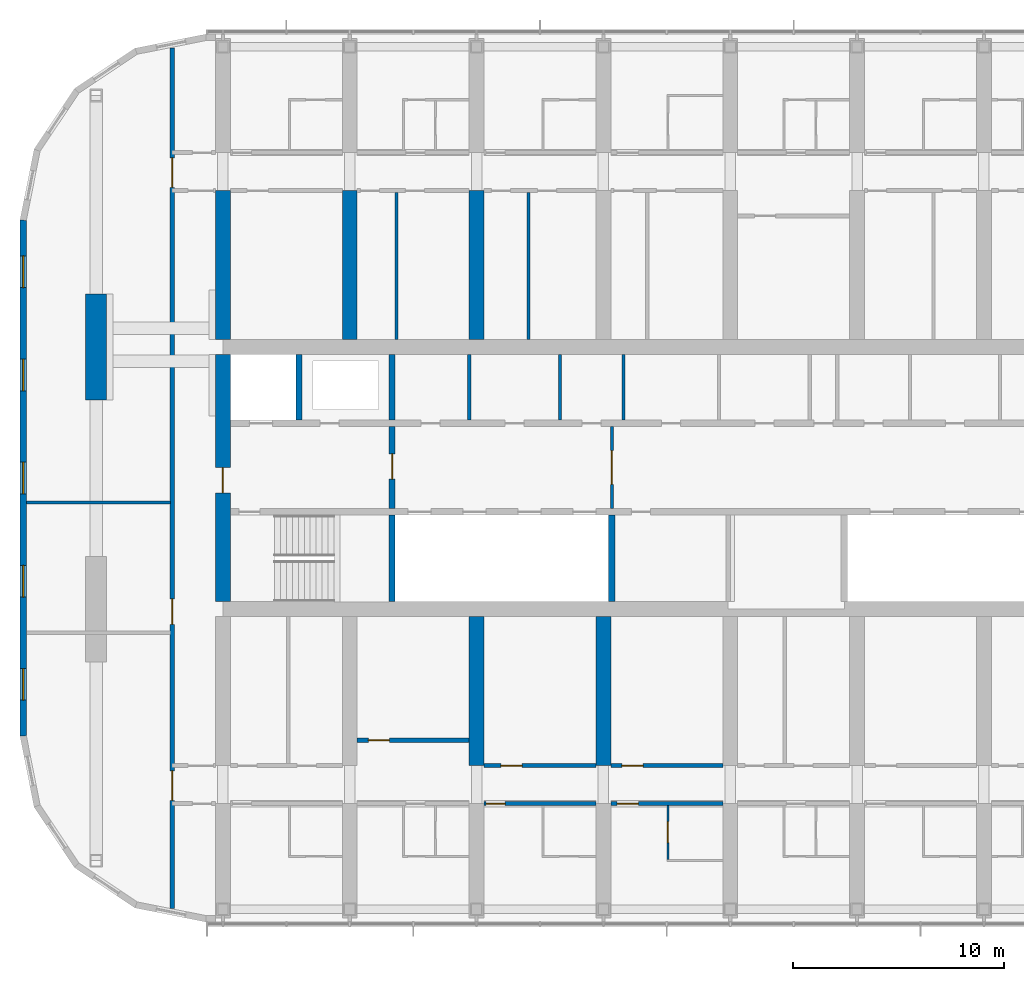
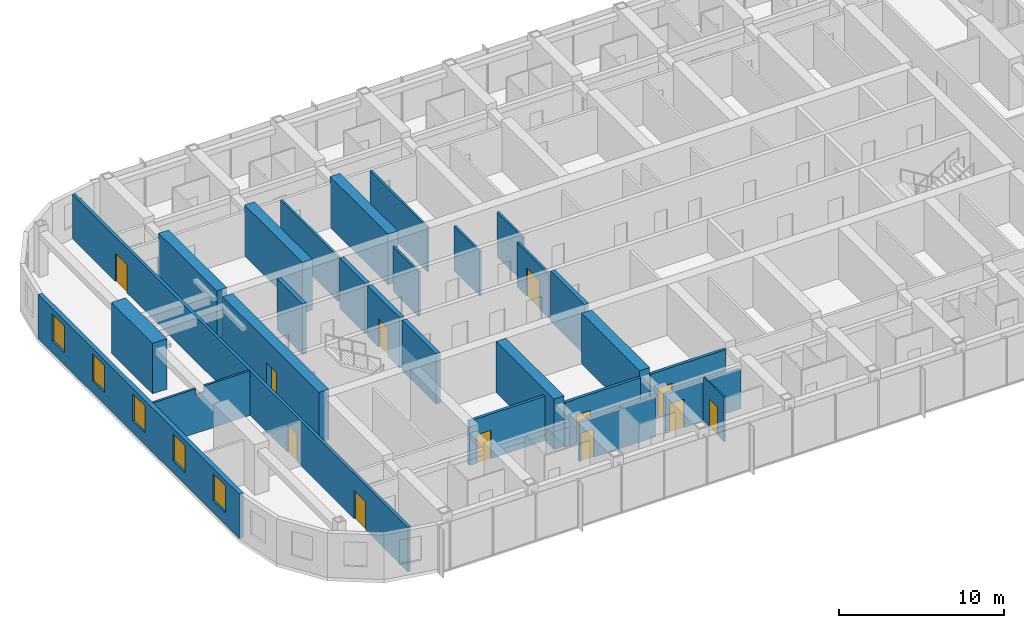
# One storey, part 11 of 23: 27 walls, 12 doors, 5 windows, 17 openings.
"""IFC4 building model written with IfcOpenShell, lengths in metres."""

from ifc_helpers import new_model, si_unit, direction, frame, frame_2d, origin, place, context, subcontext, project, spatial, polyline, rectangle, outline, extrude, material, layer, layer_set, type_object, element, fill, save


model = new_model("IFC4")

# Units and contexts
model_context = context("Model", 3, precision=1e-05, world=origin(), true_north=direction((0.0, 1.0)))
body_context = subcontext(model_context, "Body", "Model", "MODEL_VIEW")
ifc_project = project(units=[si_unit("LENGTHUNIT", "METRE"), si_unit("AREAUNIT", "SQUARE_METRE"), si_unit("VOLUMEUNIT", "CUBIC_METRE"), si_unit("PLANEANGLEUNIT", "RADIAN"), si_unit("MASSUNIT", "GRAM", prefix="KILO")], contexts=[model_context])

# Site, building, storey
site_placement = place(None, origin())
site = spatial("IfcSite", under=ifc_project, at=site_placement, CompositionType="ELEMENT")
building_placement = place(site_placement, origin())
building = spatial("IfcBuilding", under=site, at=building_placement, Name="Orbita Commons", CompositionType="ELEMENT")
storey_placement = place(building_placement, frame((0.0, 0.0, 212.800048828125)))
storey = spatial("IfcBuildingStorey", under=building, at=storey_placement, Name="L52", CompositionType="ELEMENT", Elevation=212.800048828125)

# Wall
ifc_material_1 = material(Name="Concrete C50/60", Category="concrete")
ifc_layer_1 = layer(ifc_material_1, 0.300048828125)
ifc_layer_set_1 = layer_set([ifc_layer_1], Name="Concrete C50/60")
wall_type_1 = type_object("IfcWallType", Name="Core inner wall 300 C50/60", PredefinedType="SHEAR", material=ifc_layer_set_1)
wall_1_placement = place(storey_placement, frame((26.0, 26.14990234375, 0.0), z_axis=(0.0, 0.0, 1.0), x_axis=(0.0, 1.0, 0.0)))
element("IfcWall", 1, at=wall_1_placement, inside=storey, type_object=wall_type_1, Name="Stair S1 wall L52", PredefinedType="SHEAR", context=body_context, shape_type="SweptSolid", body=[
    extrude(rectangle(XDim=4.10009765625, YDim=0.300048828125, at=frame_2d((2.050048828125, 0.0))), origin(), (0.0, 0.0, 1.0), 3.75),
])

# Wall, opening, door
wall_2_placement = place(storey_placement, frame((26.0, 30.550048828125, 0.0), z_axis=(0.0, 0.0, 1.0), x_axis=(0.0, 1.0, 0.0)))
wall_2 = element("IfcWall", 2, at=wall_2_placement, inside=storey, type_object=wall_type_1, Name="Firefighting lobby wall west L52", PredefinedType="SHEAR", context=body_context, shape_type="SweptSolid", body=[
    extrude(rectangle(XDim=3.89990234375, YDim=0.300048828125, at=frame_2d((1.949951171875, 0.0))), origin(), (0.0, 0.0, 1.0), 3.75),
])
opening_1_placement = place(wall_2_placement, frame((1.39990234375, 0.0, 0.0)))
opening_1 = element("IfcOpeningElement", 3, at=opening_1_placement, cuts=wall_2, Name="Opening D04", PredefinedType="OPENING", context=body_context, shape_type="SweptSolid", body=[
    extrude(rectangle(XDim=1.199951171875, YDim=2.10009765625, at=frame_2d((0.60009765625, 1.050048828125))), frame((0.0, 0.159912109375, 0.0), z_axis=(0.0, -1.0, 0.0), x_axis=(1.0, 0.0, 0.0)), (0.0, 0.0, 1.0), 0.320068359375),
])
ifc_material_2 = material(Name="Steel-faced fire door leaf", Category="steel")
door_type_1 = type_object("IfcDoorType", Name="Service door 20 min 1200x2100", OperationType="SINGLE_SWING_LEFT", PredefinedType="DOOR", material=ifc_material_2)
door_1_placement = place(opening_1_placement, origin())
door_1 = element("IfcDoor", 4, at=door_1_placement, inside=storey, type_object=door_type_1, Name="Lift lobby door west", OperationType="SINGLE_SWING_LEFT", OverallHeight=2.10009765625, OverallWidth=1.199951171875, PredefinedType="DOOR", context=body_context, shape_type="SweptSolid", body=[
    extrude(rectangle(XDim=1.199951171875, YDim=2.10009765625, at=frame_2d((0.60009765625, 1.050048828125))), frame((0.0, 0.02490234375, 0.0), z_axis=(0.0, -1.0, 0.0), x_axis=(1.0, 0.0, 0.0)), (0.0, 0.0, 1.0), 0.050048828125),
])
fill(opening_1, door_1)

# Walls
for number, where, z_axis, x_axis, name in (
    (5, (21.60009765625, 34.75, 0.0), (0.0, 0.0, 1.0), (0.0, 1.0, 0.0), "Firefighting lift FL1 shaft wall L52"),
    (6, (26.0, 34.75, 0.0), (0.0, 0.0, 1.0), (0.0, 1.0, 0.0), "Riser wall west L52"),
):
    element("IfcWall", number, at=place(storey_placement, frame(where, z_axis=z_axis, x_axis=x_axis)), inside=storey, type_object=wall_type_1, Name=name, PredefinedType="SHEAR", context=body_context, shape_type="SweptSolid", body=[
        extrude(rectangle(XDim=3.10009765625, YDim=0.300048828125, at=frame_2d((1.550048828125, 0.0))), origin(), (0.0, 0.0, 1.0), 3.75),
    ])
wall_3_placement = place(storey_placement, frame((36.39990234375, 26.14990234375, 0.0), z_axis=(0.0, 0.0, 1.0), x_axis=(0.0, 1.0, 0.0)))
element("IfcWall", 7, at=wall_3_placement, inside=storey, type_object=wall_type_1, Name="Hoistway division wall L52", PredefinedType="SHEAR", context=body_context, shape_type="SweptSolid", body=[
    extrude(rectangle(XDim=4.10009765625, YDim=0.300048828125, at=frame_2d((2.050048828125, 0.0))), origin(), (0.0, 0.0, 1.0), 3.75),
])

# Wall, opening, door
ifc_material_3 = material(Name="Concrete blockwork", Category="masonry")
ifc_layer_2 = layer(ifc_material_3, 0.14990234375)
ifc_layer_set_2 = layer_set([ifc_layer_2], Name="Concrete blockwork")
wall_type_2 = type_object("IfcWallType", Name="Core partition 150 blockwork", PredefinedType="SOLIDWALL", material=ifc_layer_set_2)
wall_4_placement = place(storey_placement, frame((36.39990234375, 30.550048828125, 0.0), z_axis=(0.0, 0.0, 1.0), x_axis=(0.0, 1.0, 0.0)))
wall_4 = element("IfcWall", 8, at=wall_4_placement, inside=storey, type_object=wall_type_2, Name="Core partition 150 blockwork L52", PredefinedType="SOLIDWALL", context=body_context, shape_type="SweptSolid", body=[
    extrude(rectangle(XDim=3.89990234375, YDim=0.14990234375, at=frame_2d((1.949951171875, 0.0))), origin(), (0.0, 0.0, 1.0), 3.300048828125),
])
opening_2_placement = place(wall_4_placement, frame((1.14990234375, 0.0, 0.0)))
opening_2 = element("IfcOpeningElement", 9, at=opening_2_placement, cuts=wall_4, Name="Opening D10", PredefinedType="OPENING", context=body_context, shape_type="SweptSolid", body=[
    extrude(rectangle(XDim=1.60009765625, YDim=2.10009765625, at=frame_2d((0.800048828125, 1.050048828125))), frame((0.0, 0.0849609375, 0.0), z_axis=(0.0, -1.0, 0.0), x_axis=(1.0, 0.0, 0.0)), (0.0, 0.0, 1.0), 0.169921875),
])
ifc_material_4 = material(Name="Steel-faced fire door leaf", Category="steel")
door_type_2 = type_object("IfcDoorType", Name="Double corridor door 20 min 1600x2100", OperationType="DOUBLE_DOOR_SINGLE_SWING", PredefinedType="DOOR", material=ifc_material_4)
door_2_placement = place(opening_2_placement, origin())
door_2 = element("IfcDoor", 10, at=door_2_placement, inside=storey, type_object=door_type_2, Name="Lift lobby screen doors", OperationType="DOUBLE_DOOR_SINGLE_SWING", OverallHeight=2.10009765625, OverallWidth=1.60009765625, PredefinedType="DOOR", context=body_context, shape_type="SweptSolid", body=[
    extrude(rectangle(XDim=1.60009765625, YDim=2.10009765625, at=frame_2d((0.800048828125, 1.050048828125))), frame((0.0, 0.02490234375, 0.0), z_axis=(0.0, -1.0, 0.0), x_axis=(1.0, 0.0, 0.0)), (0.0, 0.0, 1.0), 0.050048828125),
])
fill(opening_2, door_2)

# Walls
for number, where, z_axis, x_axis, name in (
    (11, (29.65087890625, 34.75, 0.0), (0.0, 0.0, 1.0), (0.0, 1.0, 0.0), "Core partition 150 blockwork L52"),
    (12, (33.9462890625, 34.75, 0.0), (0.0, 0.0, 1.0), (0.0, 1.0, 0.0), "Core partition 150 blockwork L52"),
    (13, (36.9462890625, 34.75, 0.0), (0.0, 0.0, 1.0), (0.0, 1.0, 0.0), "Core partition 150 blockwork L52"),
):
    element("IfcWall", number, at=place(storey_placement, frame(where, z_axis=z_axis, x_axis=x_axis)), inside=storey, type_object=wall_type_2, Name=name, PredefinedType="SOLIDWALL", context=body_context, shape_type="SweptSolid", body=[
        extrude(rectangle(XDim=3.10009765625, YDim=0.14990234375, at=frame_2d((1.550048828125, 0.0))), origin(), (0.0, 0.0, 1.0), 3.300048828125),
    ])

# Wall, opening, door
ifc_material_5 = material(Name="Concrete C50/60", Category="concrete")
ifc_layer_3 = layer(ifc_material_5, 0.699951171875)
ifc_layer_set_3 = layer_set([ifc_layer_3], Name="Concrete C50/60")
wall_type_3 = type_object("IfcWallType", Name="Core wall 700 C50/60", PredefinedType="SHEAR", material=ifc_layer_set_3)
wall_5_placement = place(storey_placement, frame((18.0, 26.14990234375, 0.0), z_axis=(0.0, 0.0, 1.0), x_axis=(0.0, 1.0, 0.0)))
wall_5 = element("IfcWall", 14, at=wall_5_placement, inside=storey, type_object=wall_type_3, Name="Core end wall west L52", PredefinedType="SHEAR", context=body_context, shape_type="SweptSolid", body=[
    extrude(rectangle(XDim=11.7001953125, YDim=0.699951171875, at=frame_2d((5.85009765625, 0.0))), origin(), (0.0, 0.0, 1.0), 3.75),
])
opening_3_placement = place(wall_5_placement, frame((5.14990234375, 0.0, 0.0)))
opening_3 = element("IfcOpeningElement", 15, at=opening_3_placement, cuts=wall_5, Name="Opening D01", PredefinedType="OPENING", context=body_context, shape_type="SweptSolid", body=[
    extrude(rectangle(XDim=1.199951171875, YDim=2.10009765625, at=frame_2d((0.60009765625, 1.050048828125))), frame((0.0, 0.35986328125, 0.0), z_axis=(0.0, -1.0, 0.0), x_axis=(1.0, 0.0, 0.0)), (0.0, 0.0, 1.0), 0.719970703125),
])
ifc_material_6 = material(Name="Steel-faced fire door leaf", Category="steel")
door_type_3 = type_object("IfcDoorType", Name="Fire door 90 min 1200x2100", OperationType="SINGLE_SWING_LEFT", PredefinedType="DOOR", material=ifc_material_6)
door_3_placement = place(opening_3_placement, origin())
door_3 = element("IfcDoor", 16, at=door_3_placement, inside=storey, type_object=door_type_3, Name="Firefighting lobby west door", OperationType="SINGLE_SWING_LEFT", OverallHeight=2.10009765625, OverallWidth=1.199951171875, PredefinedType="DOOR", context=body_context, shape_type="SweptSolid", body=[
    extrude(rectangle(XDim=1.199951171875, YDim=2.10009765625, at=frame_2d((0.60009765625, 1.050048828125))), frame((0.0, 0.02490234375, 0.0), z_axis=(0.0, -1.0, 0.0), x_axis=(1.0, 0.0, 0.0)), (0.0, 0.0, 1.0), 0.050048828125),
])
fill(opening_3, door_3)

ifc_material_7 = material(Name="Concrete blockwork", Category="masonry")
ifc_layer_4 = layer(ifc_material_7, 0.199951171875)
ifc_layer_set_4 = layer_set([ifc_layer_4], Name="Concrete blockwork")
wall_type_4 = type_object("IfcWallType", Name="Corridor wall 200 blockwork", PredefinedType="SOLIDWALL", material=ifc_layer_set_4)
wall_6_placement = place(storey_placement, frame((30.35009765625, 16.60009765625, 0.0), z_axis=(0.0, 0.0, 1.0), x_axis=(1.0, 0.0, 0.0)))
wall_6 = element("IfcWall", 17, at=wall_6_placement, inside=storey, type_object=wall_type_4, Name="Corridor wall 200 blockwork L52", PredefinedType="SOLIDWALL", context=body_context, shape_type="SweptSolid", body=[
    extrude(outline(polyline([(0.0, 0.0), (5.2998046875, 0.0), (5.300048828125, 2.89990234375), (0.0, 2.89990234375), (0.0, 0.0)])), frame((0.0, 0.10009765625, 0.0), z_axis=(0.0, -1.0, 0.0), x_axis=(1.0, 0.0, 0.0)), (0.0, 0.0, 1.0), 0.199951171875),
])
opening_4_placement = place(wall_6_placement, frame((0.10009765625, 0.0, 0.0)))
opening_4 = element("IfcOpeningElement", 18, at=opening_4_placement, cuts=wall_6, Name="Opening D11", PredefinedType="OPENING", context=body_context, shape_type="SweptSolid", body=[
    extrude(rectangle(XDim=0.89990234375, YDim=2.10009765625, at=frame_2d((0.449951171875, 1.050048828125))), frame((0.0, 0.10986328125, 0.0), z_axis=(0.0, -1.0, 0.0), x_axis=(1.0, 0.0, 0.0)), (0.0, 0.0, 1.0), 0.219970703125),
])
ifc_material_8 = material(Name="Steel-faced fire door leaf", Category="steel")
door_type_4 = type_object("IfcDoorType", Name="Corridor door 20 min 900x2100", OperationType="SINGLE_SWING_LEFT", PredefinedType="DOOR", material=ifc_material_8)
door_4_placement = place(opening_4_placement, origin())
door_4 = element("IfcDoor", 19, at=door_4_placement, inside=storey, type_object=door_type_4, Name="Studio apartment with kitchenette L52-S04 door", OperationType="SINGLE_SWING_LEFT", OverallHeight=2.10009765625, OverallWidth=0.89990234375, PredefinedType="DOOR", context=body_context, shape_type="SweptSolid", body=[
    extrude(rectangle(XDim=0.89990234375, YDim=2.10009765625, at=frame_2d((0.449951171875, 1.050048828125))), frame((0.0, 0.02490234375, 0.0), z_axis=(0.0, -1.0, 0.0), x_axis=(1.0, 0.0, 0.0)), (0.0, 0.0, 1.0), 0.050048828125),
])
fill(opening_4, door_4)

wall_7_placement = place(storey_placement, frame((36.35009765625, 16.60009765625, 0.0), z_axis=(0.0, 0.0, 1.0), x_axis=(1.0, 0.0, 0.0)))
wall_7 = element("IfcWall", 20, at=wall_7_placement, inside=storey, type_object=wall_type_4, Name="Corridor wall 200 blockwork L52", PredefinedType="SOLIDWALL", context=body_context, shape_type="SweptSolid", body=[
    extrude(outline(polyline([(0.0, 0.0), (5.2998046875, 0.0), (5.300048828125, 2.89990234375), (0.0, 2.89990234375), (0.0, 0.0)])), frame((0.0, 0.10009765625, 0.0), z_axis=(0.0, -1.0, 0.0), x_axis=(1.0, 0.0, 0.0)), (0.0, 0.0, 1.0), 0.199951171875),
])
opening_5_placement = place(wall_7_placement, frame((0.300048828125, 0.0, 0.0)))
opening_5 = element("IfcOpeningElement", 21, at=opening_5_placement, cuts=wall_7, Name="Opening D06", PredefinedType="OPENING", context=body_context, shape_type="SweptSolid", body=[
    extrude(rectangle(XDim=1.0, YDim=2.10009765625, at=frame_2d((0.5, 1.050048828125))), frame((0.0, 0.10986328125, 0.0), z_axis=(0.0, -1.0, 0.0), x_axis=(1.0, 0.0, 0.0)), (0.0, 0.0, 1.0), 0.219970703125),
])
ifc_material_9 = material(Name="Steel-faced fire door leaf", Category="steel")
door_type_5 = type_object("IfcDoorType", Name="Corridor door 20 min 1000x2100", OperationType="SINGLE_SWING_LEFT", PredefinedType="DOOR", material=ifc_material_9)
door_5_placement = place(opening_5_placement, origin())
door_5 = element("IfcDoor", 22, at=door_5_placement, inside=storey, type_object=door_type_5, Name="Accessible bedroom L52-S06 door", OperationType="SINGLE_SWING_LEFT", OverallHeight=2.10009765625, OverallWidth=1.0, PredefinedType="DOOR", context=body_context, shape_type="SweptSolid", body=[
    extrude(rectangle(XDim=1.0, YDim=2.10009765625, at=frame_2d((0.5, 1.050048828125))), frame((0.0, 0.02490234375, 0.0), z_axis=(0.0, -1.0, 0.0), x_axis=(1.0, 0.0, 0.0)), (0.0, 0.0, 1.0), 0.050048828125),
])
fill(opening_5, door_5)

# Wall, openings, doors
wall_8_placement = place(storey_placement, frame((15.60009765625, 11.646240234375, 0.0), z_axis=(0.0, 0.0, 1.0), x_axis=(0.0, 1.0, 0.0)))
wall_8 = element("IfcWall", 23, at=wall_8_placement, inside=storey, type_object=wall_type_4, Name="Corridor wall 200 blockwork L52", PredefinedType="SOLIDWALL", context=body_context, shape_type="SweptSolid", body=[
    extrude(rectangle(XDim=40.70751953125, YDim=0.199951171875, at=frame_2d((20.353759765625, 0.0))), origin(), (0.0, 0.0, 1.0), 3.300048828125),
])
opening_6_placement = place(wall_8_placement, frame((13.433837890625, 0.0, 0.0)))
opening_6 = element("IfcOpeningElement", 24, at=opening_6_placement, cuts=wall_8, Name="Opening D15", PredefinedType="OPENING", context=body_context, shape_type="SweptSolid", body=[
    extrude(rectangle(XDim=1.199951171875, YDim=2.10009765625, at=frame_2d((0.60009765625, 1.050048828125))), frame((0.0, 0.10986328125, 0.0), z_axis=(0.0, -1.0, 0.0), x_axis=(1.0, 0.0, 0.0)), (0.0, 0.0, 1.0), 0.219970703125),
])
opening_7_placement = place(wall_8_placement, frame((5.103759765625, 0.0, 0.0)))
opening_7 = element("IfcOpeningElement", 25, at=opening_7_placement, cuts=wall_8, Name="Opening D08", PredefinedType="OPENING", context=body_context, shape_type="SweptSolid", body=[
    extrude(rectangle(XDim=1.39990234375, YDim=2.10009765625, at=frame_2d((0.699951171875, 1.050048828125))), frame((0.0, 0.10986328125, 0.0), z_axis=(0.0, -1.0, 0.0), x_axis=(1.0, 0.0, 0.0)), (0.0, 0.0, 1.0), 0.219970703125),
])
opening_8_placement = place(wall_8_placement, frame((34.103759765625, 0.0, 0.0)))
opening_8 = element("IfcOpeningElement", 26, at=opening_8_placement, cuts=wall_8, Name="Opening D08", PredefinedType="OPENING", context=body_context, shape_type="SweptSolid", body=[
    extrude(rectangle(XDim=1.39990234375, YDim=2.10009765625, at=frame_2d((0.699951171875, 1.050048828125))), frame((0.0, 0.10986328125, 0.0), z_axis=(0.0, -1.0, 0.0), x_axis=(1.0, 0.0, 0.0)), (0.0, 0.0, 1.0), 0.219970703125),
])
ifc_material_10 = material(Name="Steel-faced fire door leaf", Category="steel")
door_type_6 = type_object("IfcDoorType", Name="Corridor door 20 min 1200x2100", OperationType="SINGLE_SWING_LEFT", PredefinedType="DOOR", material=ifc_material_10)
door_6_placement = place(opening_6_placement, origin())
door_6 = element("IfcDoor", 27, at=door_6_placement, inside=storey, type_object=door_type_6, Name="Study hall door", OperationType="SINGLE_SWING_LEFT", OverallHeight=2.10009765625, OverallWidth=1.199951171875, PredefinedType="DOOR", context=body_context, shape_type="SweptSolid", body=[
    extrude(rectangle(XDim=1.199951171875, YDim=2.10009765625, at=frame_2d((0.60009765625, 1.050048828125))), frame((0.0, 0.02490234375, 0.0), z_axis=(0.0, -1.0, 0.0), x_axis=(1.0, 0.0, 0.0)), (0.0, 0.0, 1.0), 0.050048828125),
])
fill(opening_6, door_6)
ifc_material_11 = material(Name="Steel-faced fire door leaf", Category="steel")
door_type_7 = type_object("IfcDoorType", Name="Double corridor door 20 min 1400x2100", OperationType="DOUBLE_DOOR_SINGLE_SWING", PredefinedType="DOOR", material=ifc_material_11)
door_7_placement = place(opening_7_placement, origin())
door_7 = element("IfcDoor", 28, at=door_7_placement, inside=storey, type_object=door_type_7, Name="Lounge doors", OperationType="DOUBLE_DOOR_SINGLE_SWING", OverallHeight=2.10009765625, OverallWidth=1.39990234375, PredefinedType="DOOR", context=body_context, shape_type="SweptSolid", body=[
    extrude(rectangle(XDim=1.39990234375, YDim=2.10009765625, at=frame_2d((0.699951171875, 1.050048828125))), frame((0.0, 0.02490234375, 0.0), z_axis=(0.0, -1.0, 0.0), x_axis=(1.0, 0.0, 0.0)), (0.0, 0.0, 1.0), 0.050048828125),
])
fill(opening_7, door_7)
door_8_placement = place(opening_8_placement, origin())
door_8 = element("IfcDoor", 29, at=door_8_placement, inside=storey, type_object=door_type_7, Name="Lounge doors", OperationType="DOUBLE_DOOR_SINGLE_SWING", OverallHeight=2.10009765625, OverallWidth=1.39990234375, PredefinedType="DOOR", context=body_context, shape_type="SweptSolid", body=[
    extrude(rectangle(XDim=1.39990234375, YDim=2.10009765625, at=frame_2d((0.699951171875, 1.050048828125))), frame((0.0, 0.02490234375, 0.0), z_axis=(0.0, -1.0, 0.0), x_axis=(1.0, 0.0, 0.0)), (0.0, 0.0, 1.0), 0.050048828125),
])
fill(opening_8, door_8)

# Wall, opening, door
ifc_material_12 = material(Name="Hollow concrete block 200", Category="concrete")
ifc_layer_5 = layer(ifc_material_12, 0.199951171875)
ifc_layer_set_5 = layer_set([ifc_layer_5], Name="Hollow concrete block 200")
wall_type_5 = type_object("IfcWallType", Name="Corridor wall 200 hollow concrete block", PredefinedType="SOLIDWALL", material=ifc_layer_set_5)
wall_9_placement = place(storey_placement, frame((30.35009765625, 18.39990234375, 0.0), z_axis=(0.0, 0.0, 1.0), x_axis=(1.0, 0.0, 0.0)))
wall_9 = element("IfcWall", 30, at=wall_9_placement, inside=storey, type_object=wall_type_5, Name="Corridor wall 200 hollow concrete block L52", PredefinedType="SOLIDWALL", context=body_context, shape_type="SweptSolid", body=[
    extrude(rectangle(XDim=5.2998046875, YDim=0.199951171875, at=frame_2d((2.64990234375, 0.0))), origin(), (0.0, 0.0, 1.0), 3.300048828125),
])
opening_9_placement = place(wall_9_placement, frame((0.800048828125, 0.0, 0.0)))
opening_9 = element("IfcOpeningElement", 31, at=opening_9_placement, cuts=wall_9, Name="Opening D06", PredefinedType="OPENING", context=body_context, shape_type="SweptSolid", body=[
    extrude(rectangle(XDim=1.0, YDim=2.10009765625, at=frame_2d((0.5, 1.050048828125))), frame((0.0, 0.10986328125, 0.0), z_axis=(0.0, -1.0, 0.0), x_axis=(1.0, 0.0, 0.0)), (0.0, 0.0, 1.0), 0.219970703125),
])
door_9_placement = place(opening_9_placement, origin())
door_9 = element("IfcDoor", 32, at=door_9_placement, inside=storey, type_object=door_type_5, Name="Linen store L52-BDS30 door", OperationType="SINGLE_SWING_LEFT", OverallHeight=2.10009765625, OverallWidth=1.0, PredefinedType="DOOR", context=body_context, shape_type="SweptSolid", body=[
    extrude(rectangle(XDim=1.0, YDim=2.10009765625, at=frame_2d((0.5, 1.050048828125))), frame((0.0, 0.02490234375, 0.0), z_axis=(0.0, -1.0, 0.0), x_axis=(1.0, 0.0, 0.0)), (0.0, 0.0, 1.0), 0.050048828125),
])
fill(opening_9, door_9)

wall_10_placement = place(storey_placement, frame((36.35009765625, 18.39990234375, 0.0), z_axis=(0.0, 0.0, 1.0), x_axis=(1.0, 0.0, 0.0)))
wall_10 = element("IfcWall", 33, at=wall_10_placement, inside=storey, type_object=wall_type_5, Name="Corridor wall 200 hollow concrete block L52", PredefinedType="SOLIDWALL", context=body_context, shape_type="SweptSolid", body=[
    extrude(rectangle(XDim=5.2998046875, YDim=0.199951171875, at=frame_2d((2.64990234375, 0.0))), origin(), (0.0, 0.0, 1.0), 3.300048828125),
])
opening_10_placement = place(wall_10_placement, frame((0.52490234375, 0.0, 0.0)))
opening_10 = element("IfcOpeningElement", 34, at=opening_10_placement, cuts=wall_10, Name="Opening D06", PredefinedType="OPENING", context=body_context, shape_type="SweptSolid", body=[
    extrude(rectangle(XDim=1.0, YDim=2.10009765625, at=frame_2d((0.5, 1.050048828125))), frame((0.0, 0.10986328125, 0.0), z_axis=(0.0, -1.0, 0.0), x_axis=(1.0, 0.0, 0.0)), (0.0, 0.0, 1.0), 0.219970703125),
])
door_10_placement = place(opening_10_placement, origin())
door_10 = element("IfcDoor", 35, at=door_10_placement, inside=storey, type_object=door_type_5, Name="Print and copy room L52-BDS36 door", OperationType="SINGLE_SWING_LEFT", OverallHeight=2.10009765625, OverallWidth=1.0, PredefinedType="DOOR", context=body_context, shape_type="SweptSolid", body=[
    extrude(rectangle(XDim=1.0, YDim=2.10009765625, at=frame_2d((0.5, 1.050048828125))), frame((0.0, 0.02490234375, 0.0), z_axis=(0.0, -1.0, 0.0), x_axis=(1.0, 0.0, 0.0)), (0.0, 0.0, 1.0), 0.050048828125),
])
fill(opening_10, door_10)

wall_11_placement = place(storey_placement, frame((24.35009765625, 19.60009765625, 0.0), z_axis=(0.0, 0.0, 1.0), x_axis=(1.0, 0.0, 0.0)))
wall_11 = element("IfcWall", 36, at=wall_11_placement, inside=storey, type_object=wall_type_5, Name="Corridor wall 200 hollow concrete block L52", PredefinedType="SOLIDWALL", context=body_context, shape_type="SweptSolid", body=[
    extrude(rectangle(XDim=5.2998046875, YDim=0.199951171875, at=frame_2d((2.64990234375, 0.0))), origin(), (0.0, 0.0, 1.0), 3.300048828125),
])
opening_11_placement = place(wall_11_placement, frame((0.52490234375, 0.0, 0.0)))
opening_11 = element("IfcOpeningElement", 37, at=opening_11_placement, cuts=wall_11, Name="Opening D06", PredefinedType="OPENING", context=body_context, shape_type="SweptSolid", body=[
    extrude(rectangle(XDim=1.0, YDim=2.10009765625, at=frame_2d((0.5, 1.050048828125))), frame((0.0, 0.10986328125, 0.0), z_axis=(0.0, -1.0, 0.0), x_axis=(1.0, 0.0, 0.0)), (0.0, 0.0, 1.0), 0.219970703125),
])
door_11_placement = place(opening_11_placement, origin())
door_11 = element("IfcDoor", 38, at=door_11_placement, inside=storey, type_object=door_type_5, Name="Board room L52-BDS24 door", OperationType="SINGLE_SWING_LEFT", OverallHeight=2.10009765625, OverallWidth=1.0, PredefinedType="DOOR", context=body_context, shape_type="SweptSolid", body=[
    extrude(rectangle(XDim=1.0, YDim=2.10009765625, at=frame_2d((0.5, 1.050048828125))), frame((0.0, 0.02490234375, 0.0), z_axis=(0.0, -1.0, 0.0), x_axis=(1.0, 0.0, 0.0)), (0.0, 0.0, 1.0), 0.050048828125),
])
fill(opening_11, door_11)

# Walls
ifc_material_13 = material(Name="Concrete C50/60", Category="concrete")
ifc_layer_6 = layer(ifc_material_13, 0.699951171875)
ifc_layer_set_6 = layer_set([ifc_layer_6], Name="Concrete C50/60")
wall_type_6 = type_object("IfcWallType", Name="Cross wall 700 C50/60", PredefinedType="SHEAR", material=ifc_layer_set_6)
for number, where, z_axis, x_axis, name in (
    (39, (18.0, 38.550048828125, 0.0), (0.0, 0.0, 1.0), (0.0, 1.0, 0.0), "Cross wall 4 north inner L52"),
    (40, (24.0, 38.550048828125, 0.0), (0.0, 0.0, 1.0), (0.0, 1.0, 0.0), "Cross wall 5 north inner L52"),
    (41, (30.0, 18.39990234375, 0.0), (0.0, 0.0, 1.0), (0.0, 1.0, 0.0), "Cross wall 6 south inner L52"),
    (42, (30.0, 38.550048828125, 0.0), (0.0, 0.0, 1.0), (0.0, 1.0, 0.0), "Cross wall 6 north inner L52"),
    (43, (36.0, 18.39990234375, 0.0), (0.0, 0.0, 1.0), (0.0, 1.0, 0.0), "Cross wall 7 south inner L52"),
):
    element("IfcWall", number, at=place(storey_placement, frame(where, z_axis=z_axis, x_axis=x_axis)), inside=storey, type_object=wall_type_6, Name=name, PredefinedType="SHEAR", context=body_context, shape_type="SweptSolid", body=[
        extrude(rectangle(XDim=7.050048828125, YDim=0.699951171875, at=frame_2d((3.52490234375, 0.0))), origin(), (0.0, 0.0, 1.0), 3.75),
    ])

# Wall, opening, door
ifc_material_14 = material(Name="Moisture-resistant plasterboard on steel studs", Category="steel")
ifc_layer_7 = layer(ifc_material_14, 0.10009765625)
ifc_layer_set_7 = layer_set([ifc_layer_7], Name="Moisture-resistant plasterboard on steel studs")
wall_type_7 = type_object("IfcWallType", Name="En-suite partition 100", PredefinedType="PARTITIONING", material=ifc_layer_set_7)
wall_12_placement = place(storey_placement, frame((39.050048828125, 13.949951171875, 0.0), z_axis=(0.0, 0.0, 1.0), x_axis=(0.0, 1.0, 0.0)))
wall_12 = element("IfcWall", 44, at=wall_12_placement, inside=storey, type_object=wall_type_7, Name="En-suite partition 100 L52", PredefinedType="PARTITIONING", context=body_context, shape_type="SweptSolid", body=[
    extrude(outline(polyline([(0.0, 0.0), (2.550048828125, 0.0), (2.550048828125, 2.89990234375), (2.501953125, 2.89990234375), (2.5, 3.300048828125), (0.0, 3.300048828125), (0.0, 0.0)])), frame((0.0, 0.050048828125, 0.0), z_axis=(0.0, -1.0, 0.0), x_axis=(1.0, 0.0, 0.0)), (0.0, 0.0, 1.0), 0.10009765625),
])
opening_12_placement = place(wall_12_placement, frame((0.800048828125, 0.0, 0.0)))
opening_12 = element("IfcOpeningElement", 45, at=opening_12_placement, cuts=wall_12, Name="Opening D13", PredefinedType="OPENING", context=body_context, shape_type="SweptSolid", body=[
    extrude(rectangle(XDim=1.0, YDim=2.10009765625, at=frame_2d((0.5, 1.050048828125))), frame((0.0, 0.06005859375, 0.0), z_axis=(0.0, -1.0, 0.0), x_axis=(1.0, 0.0, 0.0)), (0.0, 0.0, 1.0), 0.1201171875),
])
ifc_material_15 = material(Name="Laminated timber door leaf", Category="wood")
door_type_8 = type_object("IfcDoorType", Name="En-suite door 1000x2100", OperationType="SINGLE_SWING_RIGHT", PredefinedType="DOOR", material=ifc_material_15)
door_12_placement = place(opening_12_placement, origin())
door_12 = element("IfcDoor", 46, at=door_12_placement, inside=storey, type_object=door_type_8, Name="Accessible shower room L52-S06 door", OperationType="SINGLE_SWING_RIGHT", OverallHeight=2.10009765625, OverallWidth=1.0, PredefinedType="DOOR", context=body_context, shape_type="SweptSolid", body=[
    extrude(rectangle(XDim=1.0, YDim=2.10009765625, at=frame_2d((0.5, 1.050048828125))), frame((0.0, 0.02490234375, 0.0), z_axis=(0.0, -1.0, 0.0), x_axis=(1.0, 0.0, 0.0)), (0.0, 0.0, 1.0), 0.050048828125),
])
fill(opening_12, door_12)

# Walls
ifc_material_16 = material(Name="Concrete C50/60", Category="concrete")
ifc_layer_8 = layer(ifc_material_16, 1.0)
ifc_layer_set_8 = layer_set([ifc_layer_8], Name="Concrete C50/60")
wall_type_8 = type_object("IfcWallType", Name="End pier 1000x5000 C50/60", PredefinedType="SHEAR", material=ifc_layer_set_8)
wall_13_placement = place(storey_placement, frame((12.0, 35.699951171875, 0.0), z_axis=(0.0, 0.0, 1.0), x_axis=(0.0, 1.0, 0.0)))
element("IfcWall", 47, at=wall_13_placement, inside=storey, type_object=wall_type_8, Name="End pier 3/D L52", PredefinedType="SHEAR", context=body_context, shape_type="SweptSolid", body=[
    extrude(rectangle(XDim=5.0, YDim=1.0, at=frame_2d((2.5, 0.0))), origin(), (0.0, 0.0, 1.0), 3.75),
])
ifc_material_17 = material(Name="Gypsum plasterboard on steel studs", Category="steel")
ifc_layer_9 = layer(ifc_material_17, 0.14990234375)
ifc_layer_set_9 = layer_set([ifc_layer_9], Name="Gypsum plasterboard on steel studs")
wall_type_9 = type_object("IfcWallType", Name="Partition 150 plasterboard", PredefinedType="PARTITIONING", material=ifc_layer_set_9)
for number, where, z_axis, x_axis, name in (
    (48, (26.205078125, 38.550048828125, 0.0), (0.0, 0.0, 1.0), (0.0, 1.0, 0.0), "Partition 150 plasterboard L52"),
    (49, (32.4599609375, 38.550048828125, 0.0), (0.0, 0.0, 1.0), (0.0, 1.0, 0.0), "Partition 150 plasterboard L52"),
):
    element("IfcWall", number, at=place(storey_placement, frame(where, z_axis=z_axis, x_axis=x_axis)), inside=storey, type_object=wall_type_9, Name=name, PredefinedType="PARTITIONING", context=body_context, shape_type="SweptSolid", body=[
        extrude(rectangle(XDim=6.949951171875, YDim=0.14990234375, at=frame_2d((3.47509765625, 0.0))), origin(), (0.0, 0.0, 1.0), 3.300048828125),
    ])
wall_14_placement = place(storey_placement, frame((8.705078125, 30.85009765625, 0.0), z_axis=(0.0, 0.0, 1.0), x_axis=(1.0, 0.0, 0.0)))
element("IfcWall", 50, at=wall_14_placement, inside=storey, type_object=wall_type_9, Name="Partition 150 plasterboard L52", PredefinedType="PARTITIONING", context=body_context, shape_type="SweptSolid", body=[
    extrude(outline(polyline([(0.0, 0.0), (6.81982421875, 0.0), (6.820068359375, 3.300048828125), (3.596923828125, 3.300048828125), (3.594970703125, 2.849853515625), (2.9970703125, 2.849853515625), (2.9951171875, 3.300048828125), (0.0, 3.300048828125), (0.0, 0.0)])), frame((0.0, 0.074951171875, 0.0), z_axis=(0.0, -1.0, 0.0), x_axis=(1.0, 0.0, 0.0)), (0.0, 0.0, 1.0), 0.14990234375),
])

# Wall, openings, windows
ifc_material_18 = material(Name="Precast concrete C40/50, white board-marked finish", Category="concrete")
ifc_layer_10 = layer(ifc_material_18, 0.300048828125)
ifc_layer_set_10 = layer_set([ifc_layer_10], Name="Precast concrete C40/50, white board-marked finish")
wall_type_10 = type_object("IfcWallType", Name="Precast concrete end shield 300", PredefinedType="SOLIDWALL", material=ifc_layer_set_10)
wall_15_placement = place(storey_placement, frame((8.550048828125, 44.199951171875, 0.0), z_axis=(0.0, 0.0, 1.0), x_axis=(0.0, -1.0, 0.0)))
wall_15 = element("IfcWall", 51, at=wall_15_placement, inside=storey, type_object=wall_type_10, Name="End shield W L52", PredefinedType="SOLIDWALL", context=body_context, shape_type="SweptSolid", body=[
    extrude(outline(polyline([(-0.014892578125, -0.14990234375), (24.414794921875, -0.14990234375), (24.385009765625, 0.14990234375), (0.014892578125, 0.14990234375), (-0.014892578125, -0.14990234375)])), origin(), (0.0, 0.0, 1.0), 3.300048828125),
])
opening_13_placement = place(wall_15_placement, frame((1.68994140625, 0.0, 0.89990234375)))
opening_13 = element("IfcOpeningElement", 52, at=opening_13_placement, cuts=wall_15, Name="Opening W01", PredefinedType="OPENING", context=body_context, shape_type="SweptSolid", body=[
    extrude(rectangle(XDim=1.5, YDim=2.0, at=frame_2d((0.75, 1.0))), frame((0.0, 0.159912109375, 0.0), z_axis=(0.0, -1.0, 0.0), x_axis=(1.0, 0.0, 0.0)), (0.0, 0.0, 1.0), 0.320068359375),
])
opening_14_placement = place(wall_15_placement, frame((6.570068359375, 0.0, 0.89990234375)))
opening_14 = element("IfcOpeningElement", 53, at=opening_14_placement, cuts=wall_15, Name="Opening W01", PredefinedType="OPENING", context=body_context, shape_type="SweptSolid", body=[
    extrude(rectangle(XDim=1.5, YDim=2.0, at=frame_2d((0.75, 1.0))), frame((0.0, 0.159912109375, 0.0), z_axis=(0.0, -1.0, 0.0), x_axis=(1.0, 0.0, 0.0)), (0.0, 0.0, 1.0), 0.320068359375),
])
opening_15_placement = place(wall_15_placement, frame((11.449951171875, 0.0, 0.89990234375)))
opening_15 = element("IfcOpeningElement", 54, at=opening_15_placement, cuts=wall_15, Name="Opening W01", PredefinedType="OPENING", context=body_context, shape_type="SweptSolid", body=[
    extrude(rectangle(XDim=1.5, YDim=2.0, at=frame_2d((0.75, 1.0))), frame((0.0, 0.159912109375, 0.0), z_axis=(0.0, -1.0, 0.0), x_axis=(1.0, 0.0, 0.0)), (0.0, 0.0, 1.0), 0.320068359375),
])
opening_16_placement = place(wall_15_placement, frame((16.330078125, 0.0, 0.89990234375)))
opening_16 = element("IfcOpeningElement", 55, at=opening_16_placement, cuts=wall_15, Name="Opening W01", PredefinedType="OPENING", context=body_context, shape_type="SweptSolid", body=[
    extrude(rectangle(XDim=1.5, YDim=2.0, at=frame_2d((0.75, 1.0))), frame((0.0, 0.159912109375, 0.0), z_axis=(0.0, -1.0, 0.0), x_axis=(1.0, 0.0, 0.0)), (0.0, 0.0, 1.0), 0.320068359375),
])
opening_17_placement = place(wall_15_placement, frame((21.2099609375, 0.0, 0.89990234375)))
opening_17 = element("IfcOpeningElement", 56, at=opening_17_placement, cuts=wall_15, Name="Opening W01", PredefinedType="OPENING", context=body_context, shape_type="SweptSolid", body=[
    extrude(rectangle(XDim=1.5, YDim=2.0, at=frame_2d((0.75, 1.0))), frame((0.0, 0.159912109375, 0.0), z_axis=(0.0, -1.0, 0.0), x_axis=(1.0, 0.0, 0.0)), (0.0, 0.0, 1.0), 0.320068359375),
])
ifc_material_19 = material(Name="Aluminium frame, clear double glazing", Category="aluminium")
window_type = type_object("IfcWindowType", Name="Deep-set window 1500x2000", PartitioningType="SINGLE_PANEL", PredefinedType="WINDOW", material=ifc_material_19)
window_1_placement = place(opening_13_placement, origin())
window_1 = element("IfcWindow", 57, at=window_1_placement, inside=storey, type_object=window_type, Name="Window L52-W 1", OverallHeight=2.0, OverallWidth=1.5, PartitioningType="SINGLE_PANEL", PredefinedType="WINDOW", context=body_context, shape_type="SweptSolid", body=[
    extrude(rectangle(XDim=1.5, YDim=2.0, at=frame_2d((0.75, 1.0))), frame((0.0, 0.030029296875, 0.0), z_axis=(0.0, -1.0, 0.0), x_axis=(1.0, 0.0, 0.0)), (0.0, 0.0, 1.0), 0.06005859375),
])
fill(opening_13, window_1)
window_2_placement = place(opening_14_placement, origin())
window_2 = element("IfcWindow", 58, at=window_2_placement, inside=storey, type_object=window_type, Name="Window L52-W 2", OverallHeight=2.0, OverallWidth=1.5, PartitioningType="SINGLE_PANEL", PredefinedType="WINDOW", context=body_context, shape_type="SweptSolid", body=[
    extrude(rectangle(XDim=1.5, YDim=2.0, at=frame_2d((0.75, 1.0))), frame((0.0, 0.030029296875, 0.0), z_axis=(0.0, -1.0, 0.0), x_axis=(1.0, 0.0, 0.0)), (0.0, 0.0, 1.0), 0.06005859375),
])
fill(opening_14, window_2)
window_3_placement = place(opening_15_placement, origin())
window_3 = element("IfcWindow", 59, at=window_3_placement, inside=storey, type_object=window_type, Name="Window L52-W 3", OverallHeight=2.0, OverallWidth=1.5, PartitioningType="SINGLE_PANEL", PredefinedType="WINDOW", context=body_context, shape_type="SweptSolid", body=[
    extrude(rectangle(XDim=1.5, YDim=2.0, at=frame_2d((0.75, 1.0))), frame((0.0, 0.030029296875, 0.0), z_axis=(0.0, -1.0, 0.0), x_axis=(1.0, 0.0, 0.0)), (0.0, 0.0, 1.0), 0.06005859375),
])
fill(opening_15, window_3)
window_4_placement = place(opening_16_placement, origin())
window_4 = element("IfcWindow", 60, at=window_4_placement, inside=storey, type_object=window_type, Name="Window L52-W 4", OverallHeight=2.0, OverallWidth=1.5, PartitioningType="SINGLE_PANEL", PredefinedType="WINDOW", context=body_context, shape_type="SweptSolid", body=[
    extrude(rectangle(XDim=1.5, YDim=2.0, at=frame_2d((0.75, 1.0))), frame((0.0, 0.030029296875, 0.0), z_axis=(0.0, -1.0, 0.0), x_axis=(1.0, 0.0, 0.0)), (0.0, 0.0, 1.0), 0.06005859375),
])
fill(opening_16, window_4)
window_5_placement = place(opening_17_placement, origin())
window_5 = element("IfcWindow", 61, at=window_5_placement, inside=storey, type_object=window_type, Name="Window L52-W 5", OverallHeight=2.0, OverallWidth=1.5, PartitioningType="SINGLE_PANEL", PredefinedType="WINDOW", context=body_context, shape_type="SweptSolid", body=[
    extrude(rectangle(XDim=1.5, YDim=2.0, at=frame_2d((0.75, 1.0))), frame((0.0, 0.030029296875, 0.0), z_axis=(0.0, -1.0, 0.0), x_axis=(1.0, 0.0, 0.0)), (0.0, 0.0, 1.0), 0.06005859375),
])
fill(opening_17, window_5)

save(model, "model.ifc")
